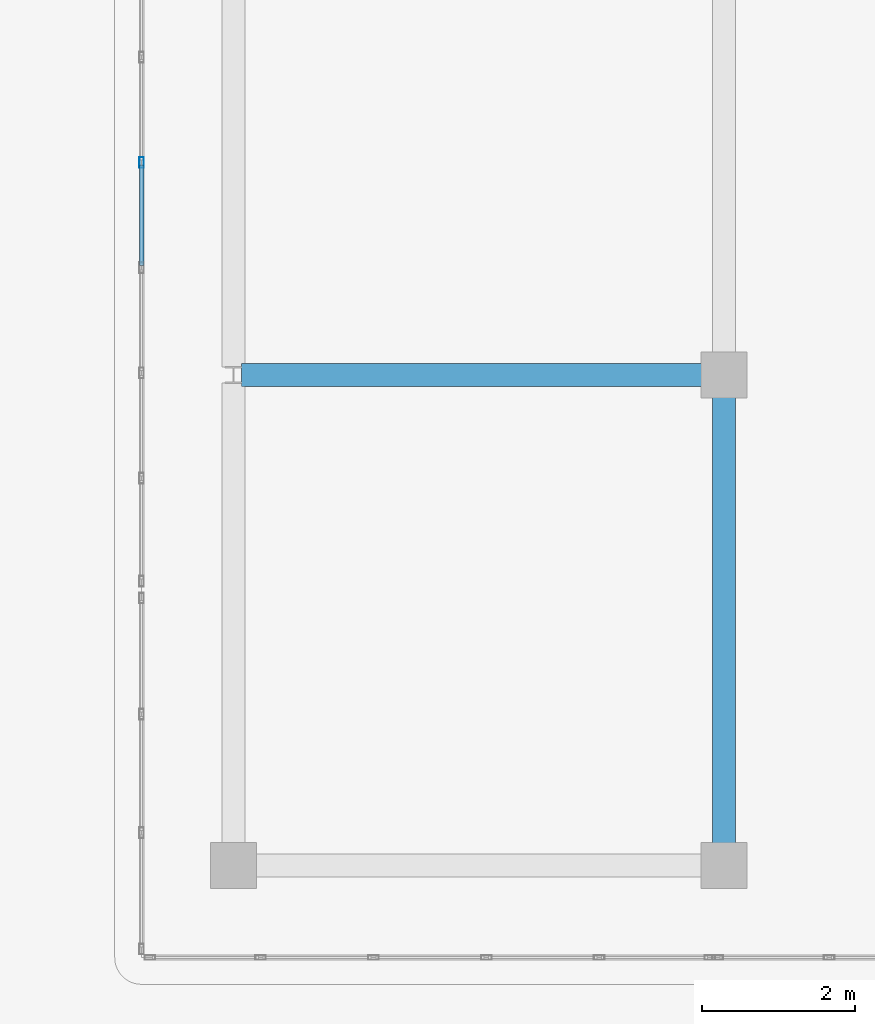
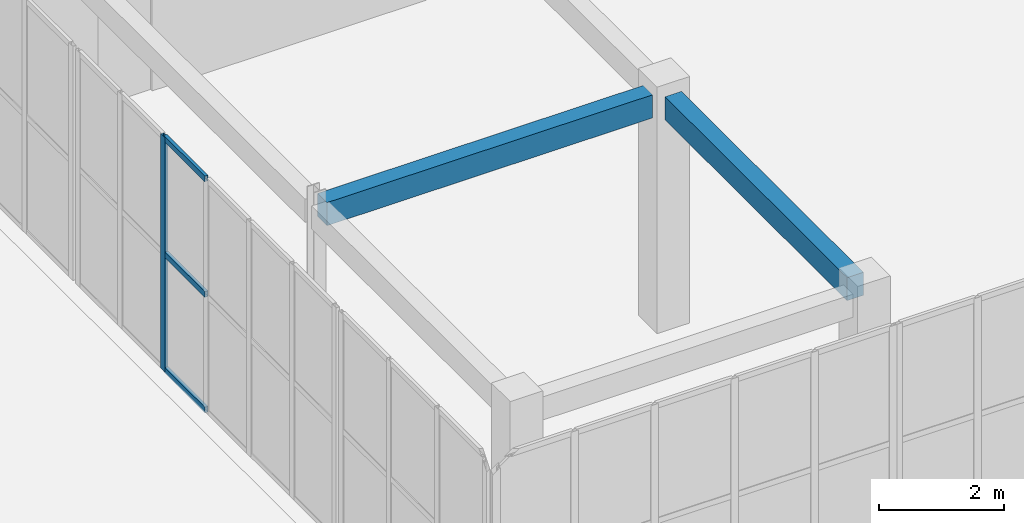
# One storey, part 22 of 158: 4 members, 2 beams, 1 element without a shape of its own.
"""IFC4 building model written with IfcOpenShell, lengths in metres."""

from ifc_helpers import new_model, si_unit, direction, frame, origin, origin_2d, place, context, subcontext, project, spatial, rectangle, hollow_rectangle, extrude, material, layer, layer_set, material_profile, profile_set, type_object, element, aggregate, save


model = new_model("IFC4")

# Units and contexts
model_context = context("Model", 3, precision=1e-05, world=origin(), true_north=direction((0.0, 1.0)))
body_context = subcontext(model_context, "Body", "Model", "MODEL_VIEW")
ifc_project = project(units=[si_unit("LENGTHUNIT", "METRE"), si_unit("AREAUNIT", "SQUARE_METRE"), si_unit("VOLUMEUNIT", "CUBIC_METRE"), si_unit("PLANEANGLEUNIT", "RADIAN"), si_unit("MASSUNIT", "GRAM", prefix="KILO")], contexts=[model_context])

# Site, building, storey
site_placement = place(None, origin())
site = spatial("IfcSite", under=ifc_project, at=site_placement, CompositionType="ELEMENT")
building_placement = place(site_placement, origin())
building = spatial("IfcBuilding", under=site, at=building_placement, Name="Trelvath General Hospital", CompositionType="ELEMENT")
storey_placement = place(building_placement, frame((0.0, 0.0, 8.10009765625)))
storey = spatial("IfcBuildingStorey", under=building, at=storey_placement, Name="L02", CompositionType="ELEMENT", Elevation=8.10009765625)

# Beams
ifc_material_1 = material(Name="Concrete C35/45", Category="concrete")
ifc_material_profile_1 = material_profile(ifc_material_1, rectangle(XDim=0.300048828125, YDim=0.449951171875, at=origin_2d()), Name="RCB300x450")
ifc_profile_set_1 = profile_set([ifc_material_profile_1], Name="Concrete C35/45")
beam_type = type_object("IfcBeamType", Name="Beam RC300x450", PredefinedType="BEAM", material=ifc_profile_set_1)
beam_1_placement = place(storey_placement, frame((54.506103515625, 44.800048828125, 4.3349609375), z_axis=(1.0, 0.0, 0.0), x_axis=(0.0, 1.0, 0.0)))
element("IfcBeam", 1, at=beam_1_placement, inside=storey, type_object=beam_type, Name="Cube Interior Ring Beam CUBE-W-T1 L02", PredefinedType="BEAM", context=body_context, shape_type="SweptSolid", body=[
    extrude(rectangle(XDim=0.300048828125, YDim=0.449951171875, at=origin_2d()), origin(), (0.0, 0.0, 1.0), 5.997802734375),
])
beam_2_placement = place(storey_placement, frame((60.800048828125, 38.696044921875, 4.3349609375), z_axis=(0.0, 1.0, 0.0), x_axis=(-1.0, 0.0, 0.0)))
element("IfcBeam", 2, at=beam_2_placement, inside=storey, type_object=beam_type, Name="Cube Interior Ring Beam CUBE-W-T1 L02", PredefinedType="BEAM", context=body_context, shape_type="SweptSolid", body=[
    extrude(rectangle(XDim=0.300048828125, YDim=0.449951171875, at=origin_2d()), origin(), (0.0, 0.0, 1.0), 5.807861328125),
])

# Curtain wall, members
ifc_material_2 = material(Name="Anodised aluminium and low-E glass", Category="aluminium")
ifc_layer = layer(ifc_material_2, 0.139892578125)
ifc_layer_set = layer_set([ifc_layer], Name="Anodised aluminium and low-E glass")
curtain_wall_type = type_object("IfcCurtainWallType", Name="CW CrystalCube 824 456 14", PredefinedType="USERDEFINED", material=ifc_layer_set)
curtain_wall_placement = place(storey_placement, origin())
curtain_wall = element("IfcCurtainWall", 3, at=curtain_wall_placement, inside=storey, type_object=curtain_wall_type, Name="Crystal Cube Curtain Wall CUBE-W-T1 W2 L02", ObjectType="Unitised Glazed Curtain Wall", PredefinedType="USERDEFINED")
ifc_material_3 = material(Name="Anodised aluminium", Category="aluminium")
ifc_material_profile_2 = material_profile(ifc_material_3, hollow_rectangle(XDim=0.06005859375, YDim=0.139892578125, WallThickness=0.00390625, at=origin_2d()), Name="RHS60x140x4")
ifc_profile_set_2 = profile_set([ifc_material_profile_2], Name="Anodised aluminium")
member_type_1 = type_object("IfcMemberType", Name="CurtainMullion 60x140", PredefinedType="MULLION", material=ifc_profile_set_2)
member_1_placement = place(storey_placement, frame((53.199951171875, 47.5732421875, 0.0), z_axis=(0.0, 0.0, 1.0), x_axis=(-1.0, 0.0, 0.0)))
member_1 = element("IfcMember", 4, at=member_1_placement, type_object=member_type_1, Name="CW-198 mullion 5", PredefinedType="MULLION", context=body_context, shape_type="SweptSolid", body=[
    extrude(hollow_rectangle(XDim=0.06005859375, YDim=0.139892578125, WallThickness=0.00390625, at=origin_2d()), origin(), (0.0, 0.0, 1.0), 4.559814453125),
])
ifc_material_4 = material(Name="Anodised aluminium", Category="aluminium")
ifc_material_profile_3 = material_profile(ifc_material_4, hollow_rectangle(XDim=0.06005859375, YDim=0.110107421875, WallThickness=0.00390625, at=origin_2d()), Name="RHS60x110x4")
ifc_profile_set_3 = profile_set([ifc_material_profile_3], Name="Anodised aluminium")
member_type_2 = type_object("IfcMemberType", Name="CurtainTransom 60x110", PredefinedType="USERDEFINED", material=ifc_profile_set_3)
member_2_placement = place(storey_placement, frame((53.199951171875, 46.22998046875, 0.02978515625), z_axis=(0.0, 1.0, 0.0), x_axis=(-1.0, 0.0, 0.0)))
member_2 = element("IfcMember", 5, at=member_2_placement, type_object=member_type_2, Name="CW-198 transom 4.1", ObjectType="TRANSOM", PredefinedType="USERDEFINED", context=body_context, shape_type="SweptSolid", body=[
    extrude(hollow_rectangle(XDim=0.06005859375, YDim=0.110107421875, WallThickness=0.00390625, at=origin_2d()), origin(), (0.0, 0.0, 1.0), 1.313232421875),
])
member_3_placement = place(storey_placement, frame((53.199951171875, 46.22998046875, 2.27978515625), z_axis=(0.0, 1.0, 0.0), x_axis=(-1.0, 0.0, 0.0)))
member_3 = element("IfcMember", 6, at=member_3_placement, type_object=member_type_2, Name="CW-198 transom 4.2", ObjectType="TRANSOM", PredefinedType="USERDEFINED", context=body_context, shape_type="SweptSolid", body=[
    extrude(hollow_rectangle(XDim=0.06005859375, YDim=0.110107421875, WallThickness=0.00390625, at=origin_2d()), origin(), (0.0, 0.0, 1.0), 1.313232421875),
])
member_4_placement = place(storey_placement, frame((53.199951171875, 46.22998046875, 4.52978515625), z_axis=(0.0, 1.0, 0.0), x_axis=(-1.0, 0.0, 0.0)))
member_4 = element("IfcMember", 7, at=member_4_placement, type_object=member_type_2, Name="CW-198 transom 4.3", ObjectType="TRANSOM", PredefinedType="USERDEFINED", context=body_context, shape_type="SweptSolid", body=[
    extrude(hollow_rectangle(XDim=0.06005859375, YDim=0.110107421875, WallThickness=0.00390625, at=origin_2d()), origin(), (0.0, 0.0, 1.0), 1.313232421875),
])
aggregate(curtain_wall, [member_1, member_2, member_3, member_4])

save(model, "model.ifc")
